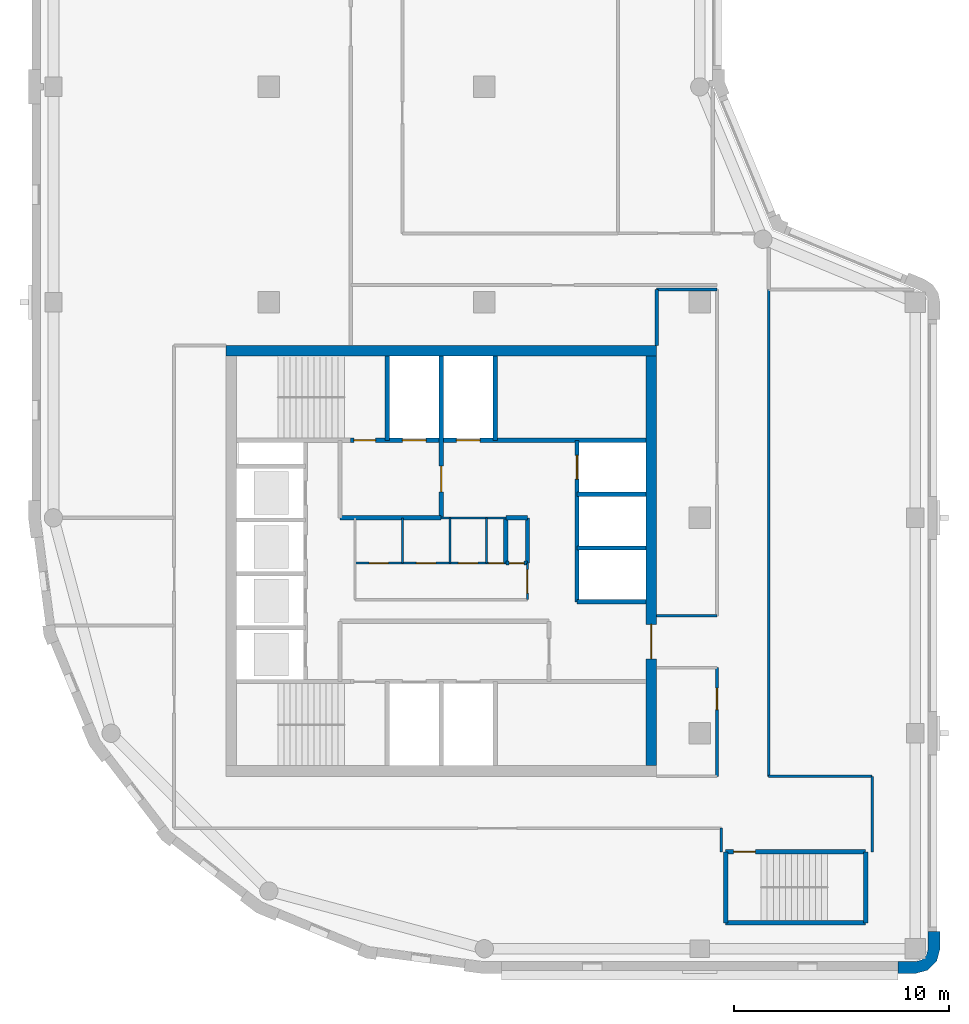
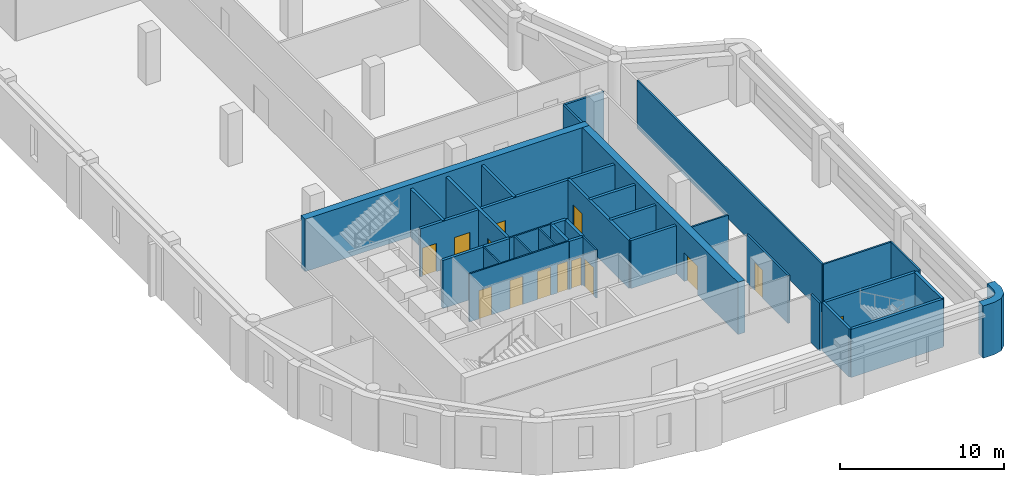
# One storey, part 3 of 8: 34 walls, 14 doors, 14 openings.
"""IFC4 building model written with IfcOpenShell, lengths in metres."""

from ifc_helpers import new_model, si_unit, direction, frame, frame_2d, origin, place, context, subcontext, project, spatial, polyline, rectangle, outline, extrude, material, layer, layer_set, type_object, element, fill, save


model = new_model("IFC4")

# Units and contexts
model_context = context("Model", 3, precision=1e-05, world=origin(), true_north=direction((0.0, 1.0)))
body_context = subcontext(model_context, "Body", "Model", "MODEL_VIEW")
ifc_project = project(units=[si_unit("LENGTHUNIT", "METRE"), si_unit("AREAUNIT", "SQUARE_METRE"), si_unit("VOLUMEUNIT", "CUBIC_METRE"), si_unit("PLANEANGLEUNIT", "RADIAN"), si_unit("MASSUNIT", "GRAM", prefix="KILO")], contexts=[model_context])

# Site, building, storey
site_placement = place(None, origin())
site = spatial("IfcSite", under=ifc_project, at=site_placement, CompositionType="ELEMENT")
building_placement = place(site_placement, origin())
building = spatial("IfcBuilding", under=site, at=building_placement, Name="Qaws Garden Tower", CompositionType="ELEMENT")
storey_placement = place(building_placement, frame((0.0, 0.0, 341.10009765625)))
storey = spatial("IfcBuildingStorey", under=building, at=storey_placement, Name="L83", CompositionType="ELEMENT", Elevation=341.10009765625)

# Wall
ifc_material_1 = material(Name="Clay facing brick masonry", Category="masonry")
ifc_layer_1 = layer(ifc_material_1, 0.550048828125)
ifc_layer_set_1 = layer_set([ifc_layer_1], Name="Clay facing brick masonry")
wall_type_1 = type_object("IfcWallType", Name="Brick corner pier 550 x 2400", PredefinedType="SOLIDWALL", material=ifc_layer_set_1)
wall_1_placement = place(storey_placement, origin())
element("IfcWall", 1, at=wall_1_placement, inside=storey, type_object=wall_type_1, Name="E-L83-pier-02", PredefinedType="SOLIDWALL", context=body_context, shape_type="SweptSolid", body=[
    extrude(outline(polyline([(39.199951171875, -1.0), (39.199951171875, -1.14990234375), (40.0, -1.14990234375), (40.574951171875, -0.995849609375), (40.995849609375, -0.574951171875), (41.14990234375, 0.0), (41.14990234375, 0.800048828125), (41.0, 0.800048828125), (40.60009765625, 0.800048828125), (40.60009765625, 0.0), (40.51953125, -0.300048828125), (40.300048828125, -0.51953125), (40.0, -0.60009765625), (39.199951171875, -0.60009765625), (39.199951171875, -1.0)])), origin(), (0.0, 0.0, 1.0), 3.89990234375),
])

# Wall, openings, doors
ifc_material_2 = material(Name="Plasterboard")
ifc_layer_2 = layer(ifc_material_2, 0.10009765625)
ifc_layer_set_2 = layer_set([ifc_layer_2], Name="Plasterboard")
wall_type_2 = type_object("IfcWallType", Name="Core partition 100", PredefinedType="PARTITIONING", material=ifc_layer_set_2)
wall_2_placement = place(storey_placement, frame((14.0, 17.89990234375, 0.0), z_axis=(0.0, 0.0, 1.0), x_axis=(1.0, 0.0, 0.0)))
wall_2 = element("IfcWall", 2, at=wall_2_placement, inside=storey, type_object=wall_type_2, Name="Core partition", PredefinedType="PARTITIONING", context=body_context, shape_type="SweptSolid", body=[
    extrude(rectangle(XDim=7.0, YDim=0.10009765625, at=frame_2d((3.5, 0.0))), origin(), (0.0, 0.0, 1.0), 3.579833984375),
])
opening_1_placement = place(wall_2_placement, frame((0.64990234375, 0.0, 0.0)))
opening_1 = element("IfcOpeningElement", 3, at=opening_1_placement, cuts=wall_2, Name="Opening WD18", PredefinedType="OPENING", context=body_context, shape_type="SweptSolid", body=[
    extrude(rectangle(XDim=0.89990234375, YDim=2.10009765625, at=frame_2d((0.449951171875, 1.050048828125))), frame((0.0, 0.06005859375, 0.0), z_axis=(0.0, -1.0, 0.0), x_axis=(1.0, 0.0, 0.0)), (0.0, 0.0, 1.0), 0.1201171875),
])
opening_2_placement = place(wall_2_placement, frame((2.85009765625, 0.0, 0.0)))
opening_2 = element("IfcOpeningElement", 4, at=opening_2_placement, cuts=wall_2, Name="Opening WD19", PredefinedType="OPENING", context=body_context, shape_type="SweptSolid", body=[
    extrude(rectangle(XDim=0.89990234375, YDim=2.10009765625, at=frame_2d((0.449951171875, 1.050048828125))), frame((0.0, 0.06005859375, 0.0), z_axis=(0.0, -1.0, 0.0), x_axis=(1.0, 0.0, 0.0)), (0.0, 0.0, 1.0), 0.1201171875),
])
opening_3_placement = place(wall_2_placement, frame((4.800048828125, 0.0, 0.0)))
opening_3 = element("IfcOpeningElement", 5, at=opening_3_placement, cuts=wall_2, Name="Opening WD20", PredefinedType="OPENING", context=body_context, shape_type="SweptSolid", body=[
    extrude(rectangle(XDim=0.89990234375, YDim=2.10009765625, at=frame_2d((0.449951171875, 1.050048828125))), frame((0.0, 0.06005859375, 0.0), z_axis=(0.0, -1.0, 0.0), x_axis=(1.0, 0.0, 0.0)), (0.0, 0.0, 1.0), 0.1201171875),
])
opening_4_placement = place(wall_2_placement, frame((6.199951171875, 0.0, 0.0)))
opening_4 = element("IfcOpeningElement", 6, at=opening_4_placement, cuts=wall_2, Name="Opening XD21", PredefinedType="OPENING", context=body_context, shape_type="SweptSolid", body=[
    extrude(rectangle(XDim=0.699951171875, YDim=2.10009765625, at=frame_2d((0.35009765625, 1.050048828125))), frame((0.0, 0.06005859375, 0.0), z_axis=(0.0, -1.0, 0.0), x_axis=(1.0, 0.0, 0.0)), (0.0, 0.0, 1.0), 0.1201171875),
])
ifc_material_3 = material(Name="Timber", Category="wood")
door_type_1 = type_object("IfcDoorType", Name="Store door 700x2100", OperationType="SINGLE_SWING_LEFT", PredefinedType="DOOR", material=ifc_material_3)
door_1_placement = place(opening_4_placement, origin())
door_1 = element("IfcDoor", 7, at=door_1_placement, inside=storey, type_object=door_type_1, Name="Cleaner's store door", OperationType="SINGLE_SWING_RIGHT", OverallHeight=2.10009765625, OverallWidth=0.699951171875, PredefinedType="DOOR", context=body_context, shape_type="SweptSolid", body=[
    extrude(rectangle(XDim=0.699951171875, YDim=2.10009765625, at=frame_2d((0.35009765625, 1.050048828125))), frame((0.0, 0.02490234375, 0.0), z_axis=(0.0, -1.0, 0.0), x_axis=(1.0, 0.0, 0.0)), (0.0, 0.0, 1.0), 0.050048828125),
])
fill(opening_4, door_1)
ifc_material_4 = material(Name="Timber", Category="wood")
door_type_2 = type_object("IfcDoorType", Name="WC door 900x2100", OperationType="SINGLE_SWING_LEFT", PredefinedType="DOOR", material=ifc_material_4)
door_2_placement = place(opening_1_placement, origin())
door_2 = element("IfcDoor", 8, at=door_2_placement, inside=storey, type_object=door_type_2, Name="Men's WC door", OperationType="SINGLE_SWING_RIGHT", OverallHeight=2.10009765625, OverallWidth=0.89990234375, PredefinedType="DOOR", context=body_context, shape_type="SweptSolid", body=[
    extrude(rectangle(XDim=0.89990234375, YDim=2.10009765625, at=frame_2d((0.449951171875, 1.050048828125))), frame((0.0, 0.02490234375, 0.0), z_axis=(0.0, -1.0, 0.0), x_axis=(1.0, 0.0, 0.0)), (0.0, 0.0, 1.0), 0.050048828125),
])
fill(opening_1, door_2)
door_3_placement = place(opening_2_placement, origin())
door_3 = element("IfcDoor", 9, at=door_3_placement, inside=storey, type_object=door_type_2, Name="Women's WC door", OperationType="SINGLE_SWING_RIGHT", OverallHeight=2.10009765625, OverallWidth=0.89990234375, PredefinedType="DOOR", context=body_context, shape_type="SweptSolid", body=[
    extrude(rectangle(XDim=0.89990234375, YDim=2.10009765625, at=frame_2d((0.449951171875, 1.050048828125))), frame((0.0, 0.02490234375, 0.0), z_axis=(0.0, -1.0, 0.0), x_axis=(1.0, 0.0, 0.0)), (0.0, 0.0, 1.0), 0.050048828125),
])
fill(opening_2, door_3)
door_4_placement = place(opening_3_placement, origin())
door_4 = element("IfcDoor", 10, at=door_4_placement, inside=storey, type_object=door_type_2, Name="Accessible WC door", OperationType="SINGLE_SWING_RIGHT", OverallHeight=2.10009765625, OverallWidth=0.89990234375, PredefinedType="DOOR", context=body_context, shape_type="SweptSolid", body=[
    extrude(rectangle(XDim=0.89990234375, YDim=2.10009765625, at=frame_2d((0.449951171875, 1.050048828125))), frame((0.0, 0.02490234375, 0.0), z_axis=(0.0, -1.0, 0.0), x_axis=(1.0, 0.0, 0.0)), (0.0, 0.0, 1.0), 0.050048828125),
])
fill(opening_3, door_4)

# Walls
wall_3_placement = place(storey_placement, frame((18.0, 20.0, 0.0), z_axis=(0.0, 0.0, 1.0), x_axis=(1.0, 0.0, 0.0)))
element("IfcWall", 11, at=wall_3_placement, inside=storey, type_object=wall_type_2, Name="Core partition", PredefinedType="PARTITIONING", context=body_context, shape_type="SweptSolid", body=[
    extrude(rectangle(XDim=3.0, YDim=0.10009765625, at=frame_2d((1.5, 0.0))), origin(), (0.0, 0.0, 1.0), 3.579833984375),
])
for number, where, z_axis, x_axis, name in (
    (12, (16.199951171875, 17.89990234375, 0.0), (0.0, 0.0, 1.0), (0.0, 1.0, 0.0), "Core partition"),
    (13, (18.39990234375, 17.89990234375, 0.0), (0.0, 0.0, 1.0), (0.0, 1.0, 0.0), "Core partition"),
    (14, (20.10009765625, 17.89990234375, 0.0), (0.0, 0.0, 1.0), (0.0, 1.0, 0.0), "Core partition"),
):
    element("IfcWall", number, at=place(storey_placement, frame(where, z_axis=z_axis, x_axis=x_axis)), inside=storey, type_object=wall_type_2, Name=name, PredefinedType="PARTITIONING", context=body_context, shape_type="SweptSolid", body=[
        extrude(rectangle(XDim=2.10009765625, YDim=0.10009765625, at=frame_2d((1.050048828125, 0.0))), origin(), (0.0, 0.0, 1.0), 3.579833984375),
    ])

# Wall, opening, door
wall_4_placement = place(storey_placement, frame((22.0, 16.199951171875, 0.0), z_axis=(0.0, 0.0, 1.0), x_axis=(0.0, 1.0, 0.0)))
wall_4 = element("IfcWall", 15, at=wall_4_placement, inside=storey, type_object=wall_type_2, Name="Core partition", PredefinedType="PARTITIONING", context=body_context, shape_type="SweptSolid", body=[
    extrude(rectangle(XDim=1.699951171875, YDim=0.10009765625, at=frame_2d((0.85009765625, 0.0))), origin(), (0.0, 0.0, 1.0), 3.579833984375),
])
opening_5_placement = place(wall_4_placement, frame((0.300048828125, 0.0, 0.0)))
opening_5 = element("IfcOpeningElement", 16, at=opening_5_placement, cuts=wall_4, Name="Opening WL17", PredefinedType="OPENING", context=body_context, shape_type="SweptSolid", body=[
    extrude(rectangle(XDim=1.10009765625, YDim=2.10009765625, at=frame_2d((0.550048828125, 1.050048828125))), frame((0.0, 0.06005859375, 0.0), z_axis=(0.0, -1.0, 0.0), x_axis=(1.0, 0.0, 0.0)), (0.0, 0.0, 1.0), 0.1201171875),
])
ifc_material_5 = material(Name="Timber", Category="wood")
door_type_3 = type_object("IfcDoorType", Name="WC lobby door 1100x2100", OperationType="SINGLE_SWING_LEFT", PredefinedType="DOOR", material=ifc_material_5)
door_5_placement = place(opening_5_placement, origin())
door_5 = element("IfcDoor", 17, at=door_5_placement, inside=storey, type_object=door_type_3, Name="WC lobby door", OperationType="SINGLE_SWING_RIGHT", OverallHeight=2.10009765625, OverallWidth=1.10009765625, PredefinedType="DOOR", context=body_context, shape_type="SweptSolid", body=[
    extrude(rectangle(XDim=1.10009765625, YDim=2.10009765625, at=frame_2d((0.550048828125, 1.050048828125))), frame((0.0, 0.02490234375, 0.0), z_axis=(0.0, -1.0, 0.0), x_axis=(1.0, 0.0, 0.0)), (0.0, 0.0, 1.0), 0.050048828125),
])
fill(opening_5, door_5)

# Wall
ifc_material_6 = material(Name="Concrete C60", Category="concrete")
ifc_layer_3 = layer(ifc_material_6, 0.199951171875)
ifc_layer_set_3 = layer_set([ifc_layer_3], Name="Concrete C60")
wall_type_3 = type_object("IfcWallType", Name="Core shaft wall 200 C60", PredefinedType="SHEAR", material=ifc_layer_set_3)
wall_5_placement = place(storey_placement, frame((31.199951171875, 1.199951171875, 0.0), z_axis=(0.0, 0.0, 1.0), x_axis=(1.0, 0.0, 0.0)))
element("IfcWall", 18, at=wall_5_placement, inside=storey, type_object=wall_type_3, Name="Shaft wall", PredefinedType="SHEAR", context=body_context, shape_type="SweptSolid", body=[
    extrude(rectangle(XDim=6.5, YDim=0.199951171875, at=frame_2d((3.25, 0.0))), origin(), (0.0, 0.0, 1.0), 3.579833984375),
])

# Wall, opening, door
wall_6_placement = place(storey_placement, frame((31.199951171875, 4.5, 0.0), z_axis=(0.0, 0.0, 1.0), x_axis=(1.0, 0.0, 0.0)))
wall_6 = element("IfcWall", 19, at=wall_6_placement, inside=storey, type_object=wall_type_3, Name="Shaft wall", PredefinedType="SHEAR", context=body_context, shape_type="SweptSolid", body=[
    extrude(rectangle(XDim=6.5, YDim=0.199951171875, at=frame_2d((3.25, 0.0))), origin(), (0.0, 0.0, 1.0), 3.579833984375),
])
opening_6_placement = place(wall_6_placement, frame((0.375, 0.0, 0.0)))
opening_6 = element("IfcOpeningElement", 20, at=opening_6_placement, cuts=wall_6, Name="Opening SD12", PredefinedType="OPENING", context=body_context, shape_type="SweptSolid", body=[
    extrude(rectangle(XDim=1.0, YDim=2.10009765625, at=frame_2d((0.5, 1.050048828125))), frame((0.0, 0.10986328125, 0.0), z_axis=(0.0, -1.0, 0.0), x_axis=(1.0, 0.0, 0.0)), (0.0, 0.0, 1.0), 0.219970703125),
])
ifc_material_7 = material(Name="Steel S235", Category="steel")
door_type_4 = type_object("IfcDoorType", Name="Stair door 1000x2100", OperationType="SINGLE_SWING_RIGHT", PredefinedType="DOOR", material=ifc_material_7)
door_6_placement = place(opening_6_placement, frame((1.0, 0.0, 0.0), z_axis=(0.0, 0.0, 1.0), x_axis=(-1.0, 0.0, 0.0)))
door_6 = element("IfcDoor", 21, at=door_6_placement, inside=storey, type_object=door_type_4, Name="Stair 5 door", OperationType="SINGLE_SWING_RIGHT", OverallHeight=2.10009765625, OverallWidth=1.0, PredefinedType="DOOR", context=body_context, shape_type="SweptSolid", body=[
    extrude(rectangle(XDim=1.0, YDim=2.10009765625, at=frame_2d((0.5, 1.050048828125))), frame((0.0, 0.02490234375, 0.0), z_axis=(0.0, -1.0, 0.0), x_axis=(1.0, 0.0, 0.0)), (0.0, 0.0, 1.0), 0.050048828125),
])
fill(opening_6, door_6)

# Wall
wall_7_placement = place(storey_placement, frame((24.300048828125, 16.10009765625, 0.0), z_axis=(0.0, 0.0, 1.0), x_axis=(1.0, 0.0, 0.0)))
element("IfcWall", 22, at=wall_7_placement, inside=storey, type_object=wall_type_3, Name="Shaft wall", PredefinedType="SHEAR", context=body_context, shape_type="SweptSolid", body=[
    extrude(rectangle(XDim=3.199951171875, YDim=0.199951171875, at=frame_2d((1.60009765625, 0.0))), origin(), (0.0, 0.0, 1.0), 3.579833984375),
])

# Wall, opening, door
wall_8_placement = place(storey_placement, frame((21.0, 17.89990234375, 0.0), z_axis=(0.0, 0.0, 1.0), x_axis=(1.0, 0.0, 0.0)))
wall_8 = element("IfcWall", 23, at=wall_8_placement, inside=storey, type_object=wall_type_3, Name="Shaft wall", PredefinedType="SHEAR", context=body_context, shape_type="SweptSolid", body=[
    extrude(rectangle(XDim=1.0, YDim=0.199951171875, at=frame_2d((0.5, 0.0))), origin(), (0.0, 0.0, 1.0), 3.579833984375),
])
opening_7_placement = place(wall_8_placement, frame((0.14990234375, 0.0, 0.0)))
opening_7 = element("IfcOpeningElement", 24, at=opening_7_placement, cuts=wall_8, Name="Opening XD22", PredefinedType="OPENING", context=body_context, shape_type="SweptSolid", body=[
    extrude(rectangle(XDim=0.699951171875, YDim=2.10009765625, at=frame_2d((0.35009765625, 1.050048828125))), frame((0.0, 0.10986328125, 0.0), z_axis=(0.0, -1.0, 0.0), x_axis=(1.0, 0.0, 0.0)), (0.0, 0.0, 1.0), 0.219970703125),
])
door_7_placement = place(opening_7_placement, origin())
door_7 = element("IfcDoor", 25, at=door_7_placement, inside=storey, type_object=door_type_1, Name="Telecom riser door", OperationType="SINGLE_SWING_RIGHT", OverallHeight=2.10009765625, OverallWidth=0.699951171875, PredefinedType="DOOR", context=body_context, shape_type="SweptSolid", body=[
    extrude(rectangle(XDim=0.699951171875, YDim=2.10009765625, at=frame_2d((0.35009765625, 1.050048828125))), frame((0.0, 0.02490234375, 0.0), z_axis=(0.0, -1.0, 0.0), x_axis=(1.0, 0.0, 0.0)), (0.0, 0.0, 1.0), 0.050048828125),
])
fill(opening_7, door_7)

# Walls
wall_9_placement = place(storey_placement, frame((24.300048828125, 18.60009765625, 0.0), z_axis=(0.0, 0.0, 1.0), x_axis=(1.0, 0.0, 0.0)))
element("IfcWall", 26, at=wall_9_placement, inside=storey, type_object=wall_type_3, Name="Shaft wall", PredefinedType="SHEAR", context=body_context, shape_type="SweptSolid", body=[
    extrude(rectangle(XDim=3.199951171875, YDim=0.199951171875, at=frame_2d((1.60009765625, 0.0))), origin(), (0.0, 0.0, 1.0), 3.579833984375),
])
wall_10_placement = place(storey_placement, frame((13.300048828125, 20.0, 0.0), z_axis=(0.0, 0.0, 1.0), x_axis=(1.0, 0.0, 0.0)))
element("IfcWall", 27, at=wall_10_placement, inside=storey, type_object=wall_type_3, Name="Shaft wall", PredefinedType="SHEAR", context=body_context, shape_type="SweptSolid", body=[
    extrude(rectangle(XDim=4.699951171875, YDim=0.199951171875, at=frame_2d((2.35009765625, 0.0))), origin(), (0.0, 0.0, 1.0), 3.579833984375),
])
wall_11_placement = place(storey_placement, frame((21.0, 20.0, 0.0), z_axis=(0.0, 0.0, 1.0), x_axis=(1.0, 0.0, 0.0)))
element("IfcWall", 28, at=wall_11_placement, inside=storey, type_object=wall_type_3, Name="Shaft wall", PredefinedType="SHEAR", context=body_context, shape_type="SweptSolid", body=[
    extrude(rectangle(XDim=1.0, YDim=0.199951171875, at=frame_2d((0.5, 0.0))), origin(), (0.0, 0.0, 1.0), 3.579833984375),
])
wall_12_placement = place(storey_placement, frame((24.300048828125, 21.10009765625, 0.0), z_axis=(0.0, 0.0, 1.0), x_axis=(1.0, 0.0, 0.0)))
element("IfcWall", 29, at=wall_12_placement, inside=storey, type_object=wall_type_3, Name="Shaft wall", PredefinedType="SHEAR", context=body_context, shape_type="SweptSolid", body=[
    extrude(rectangle(XDim=3.199951171875, YDim=0.199951171875, at=frame_2d((1.60009765625, 0.0))), origin(), (0.0, 0.0, 1.0), 3.579833984375),
])

# Wall, openings, doors
wall_13_placement = place(storey_placement, frame((13.800048828125, 23.60009765625, 0.0), z_axis=(0.0, 0.0, 1.0), x_axis=(1.0, 0.0, 0.0)))
wall_13 = element("IfcWall", 30, at=wall_13_placement, inside=storey, type_object=wall_type_3, Name="Shaft wall", PredefinedType="SHEAR", context=body_context, shape_type="SweptSolid", body=[
    extrude(rectangle(XDim=13.699951171875, YDim=0.199951171875, at=frame_2d((6.85009765625, 0.0))), origin(), (0.0, 0.0, 1.0), 3.579833984375),
])
opening_8_placement = place(wall_13_placement, frame((2.39990234375, 0.0, 0.0)))
opening_8 = element("IfcOpeningElement", 31, at=opening_8_placement, cuts=wall_13, Name="Opening LD08", PredefinedType="OPENING", context=body_context, shape_type="SweptSolid", body=[
    extrude(rectangle(XDim=1.10009765625, YDim=2.10009765625, at=frame_2d((0.550048828125, 1.050048828125))), frame((0.0, 0.10986328125, 0.0), z_axis=(0.0, -1.0, 0.0), x_axis=(1.0, 0.0, 0.0)), (0.0, 0.0, 1.0), 0.219970703125),
])
opening_9_placement = place(wall_13_placement, frame((4.89990234375, 0.0, 0.0)))
opening_9 = element("IfcOpeningElement", 32, at=opening_9_placement, cuts=wall_13, Name="Opening LD09", PredefinedType="OPENING", context=body_context, shape_type="SweptSolid", body=[
    extrude(rectangle(XDim=1.10009765625, YDim=2.10009765625, at=frame_2d((0.550048828125, 1.050048828125))), frame((0.0, 0.10986328125, 0.0), z_axis=(0.0, -1.0, 0.0), x_axis=(1.0, 0.0, 0.0)), (0.0, 0.0, 1.0), 0.219970703125),
])
opening_10_placement = place(wall_13_placement, frame((0.14990234375, 0.0, 0.0)))
opening_10 = element("IfcOpeningElement", 33, at=opening_10_placement, cuts=wall_13, Name="Opening SD11", PredefinedType="OPENING", context=body_context, shape_type="SweptSolid", body=[
    extrude(rectangle(XDim=1.0, YDim=2.10009765625, at=frame_2d((0.5, 1.050048828125))), frame((0.0, 0.10986328125, 0.0), z_axis=(0.0, -1.0, 0.0), x_axis=(1.0, 0.0, 0.0)), (0.0, 0.0, 1.0), 0.219970703125),
])
ifc_material_8 = material(Name="Steel S235", Category="steel")
door_type_5 = type_object("IfcDoorType", Name="Landing door 1100x2100", OperationType="DOUBLE_DOOR_SLIDING", PredefinedType="DOOR", material=ifc_material_8)
door_8_placement = place(opening_8_placement, origin())
door_8 = element("IfcDoor", 34, at=door_8_placement, inside=storey, type_object=door_type_5, Name="Lift FF3 landing door", OperationType="DOUBLE_DOOR_SLIDING", OverallHeight=2.10009765625, OverallWidth=1.10009765625, PredefinedType="DOOR", context=body_context, shape_type="SweptSolid", body=[
    extrude(rectangle(XDim=1.10009765625, YDim=2.10009765625, at=frame_2d((0.550048828125, 1.050048828125))), frame((0.0, 0.02490234375, 0.0), z_axis=(0.0, -1.0, 0.0), x_axis=(1.0, 0.0, 0.0)), (0.0, 0.0, 1.0), 0.050048828125),
])
fill(opening_8, door_8)
door_9_placement = place(opening_9_placement, origin())
door_9 = element("IfcDoor", 35, at=door_9_placement, inside=storey, type_object=door_type_5, Name="Lift SV2 landing door", OperationType="DOUBLE_DOOR_SLIDING", OverallHeight=2.10009765625, OverallWidth=1.10009765625, PredefinedType="DOOR", context=body_context, shape_type="SweptSolid", body=[
    extrude(rectangle(XDim=1.10009765625, YDim=2.10009765625, at=frame_2d((0.550048828125, 1.050048828125))), frame((0.0, 0.02490234375, 0.0), z_axis=(0.0, -1.0, 0.0), x_axis=(1.0, 0.0, 0.0)), (0.0, 0.0, 1.0), 0.050048828125),
])
fill(opening_9, door_9)
door_10_placement = place(opening_10_placement, origin())
door_10 = element("IfcDoor", 36, at=door_10_placement, inside=storey, type_object=door_type_4, Name="Stair 4 door", OperationType="SINGLE_SWING_RIGHT", OverallHeight=2.10009765625, OverallWidth=1.0, PredefinedType="DOOR", context=body_context, shape_type="SweptSolid", body=[
    extrude(rectangle(XDim=1.0, YDim=2.10009765625, at=frame_2d((0.5, 1.050048828125))), frame((0.0, 0.02490234375, 0.0), z_axis=(0.0, -1.0, 0.0), x_axis=(1.0, 0.0, 0.0)), (0.0, 0.0, 1.0), 0.050048828125),
])
fill(opening_10, door_10)

# Wall
wall_14_placement = place(storey_placement, frame((15.5, 23.60009765625, 0.0), z_axis=(0.0, 0.0, 1.0), x_axis=(0.0, 1.0, 0.0)))
element("IfcWall", 37, at=wall_14_placement, inside=storey, type_object=wall_type_3, Name="Shaft wall", PredefinedType="SHEAR", context=body_context, shape_type="SweptSolid", body=[
    extrude(rectangle(XDim=3.89990234375, YDim=0.199951171875, at=frame_2d((1.949951171875, 0.0))), origin(), (0.0, 0.0, 1.0), 3.579833984375),
])

# Wall, opening, door
wall_15_placement = place(storey_placement, frame((18.0, 20.0, 0.0), z_axis=(0.0, 0.0, 1.0), x_axis=(0.0, 1.0, 0.0)))
wall_15 = element("IfcWall", 38, at=wall_15_placement, inside=storey, type_object=wall_type_3, Name="Shaft wall", PredefinedType="SHEAR", context=body_context, shape_type="SweptSolid", body=[
    extrude(rectangle(XDim=7.5, YDim=0.199951171875, at=frame_2d((3.75, 0.0))), origin(), (0.0, 0.0, 1.0), 3.579833984375),
])
opening_11_placement = place(wall_15_placement, frame((1.199951171875, 0.0, 0.0)))
opening_11 = element("IfcOpeningElement", 39, at=opening_11_placement, cuts=wall_15, Name="Opening FD16", PredefinedType="OPENING", context=body_context, shape_type="SweptSolid", body=[
    extrude(rectangle(XDim=1.199951171875, YDim=2.10009765625, at=frame_2d((0.60009765625, 1.050048828125))), frame((0.0, 0.10986328125, 0.0), z_axis=(0.0, -1.0, 0.0), x_axis=(1.0, 0.0, 0.0)), (0.0, 0.0, 1.0), 0.219970703125),
])
ifc_material_9 = material(Name="Steel S235", Category="steel")
door_type_6 = type_object("IfcDoorType", Name="Lobby door 1200x2100", OperationType="DOUBLE_DOOR_SINGLE_SWING", PredefinedType="DOOR", material=ifc_material_9)
door_11_placement = place(opening_11_placement, origin())
door_11 = element("IfcDoor", 40, at=door_11_placement, inside=storey, type_object=door_type_6, Name="Fire-fighting lobby door", OperationType="DOUBLE_DOOR_SINGLE_SWING", OverallHeight=2.10009765625, OverallWidth=1.199951171875, PredefinedType="DOOR", context=body_context, shape_type="SweptSolid", body=[
    extrude(rectangle(XDim=1.199951171875, YDim=2.10009765625, at=frame_2d((0.60009765625, 1.050048828125))), frame((0.0, 0.02490234375, 0.0), z_axis=(0.0, -1.0, 0.0), x_axis=(1.0, 0.0, 0.0)), (0.0, 0.0, 1.0), 0.050048828125),
])
fill(opening_11, door_11)

# Walls
wall_16_placement = place(storey_placement, frame((20.5, 23.60009765625, 0.0), z_axis=(0.0, 0.0, 1.0), x_axis=(0.0, 1.0, 0.0)))
element("IfcWall", 41, at=wall_16_placement, inside=storey, type_object=wall_type_3, Name="Shaft wall", PredefinedType="SHEAR", context=body_context, shape_type="SweptSolid", body=[
    extrude(rectangle(XDim=3.89990234375, YDim=0.199951171875, at=frame_2d((1.949951171875, 0.0))), origin(), (0.0, 0.0, 1.0), 3.579833984375),
])
for number, where, z_axis, x_axis, name in (
    (42, (21.0, 17.89990234375, 0.0), (0.0, 0.0, 1.0), (0.0, 1.0, 0.0), "Shaft wall"),
    (43, (22.0, 17.89990234375, 0.0), (0.0, 0.0, 1.0), (0.0, 1.0, 0.0), "Shaft wall"),
):
    element("IfcWall", number, at=place(storey_placement, frame(where, z_axis=z_axis, x_axis=x_axis)), inside=storey, type_object=wall_type_3, Name=name, PredefinedType="SHEAR", context=body_context, shape_type="SweptSolid", body=[
        extrude(rectangle(XDim=2.10009765625, YDim=0.199951171875, at=frame_2d((1.050048828125, 0.0))), origin(), (0.0, 0.0, 1.0), 3.579833984375),
    ])

# Wall, opening, door
wall_17_placement = place(storey_placement, frame((24.300048828125, 16.10009765625, 0.0), z_axis=(0.0, 0.0, 1.0), x_axis=(0.0, 1.0, 0.0)))
wall_17 = element("IfcWall", 44, at=wall_17_placement, inside=storey, type_object=wall_type_3, Name="Shaft wall", PredefinedType="SHEAR", context=body_context, shape_type="SweptSolid", body=[
    extrude(rectangle(XDim=7.5, YDim=0.199951171875, at=frame_2d((3.75, 0.0))), origin(), (0.0, 0.0, 1.0), 3.579833984375),
])
opening_12_placement = place(wall_17_placement, frame((5.699951171875, 0.0, 0.0)))
opening_12 = element("IfcOpeningElement", 45, at=opening_12_placement, cuts=wall_17, Name="Opening LD05", PredefinedType="OPENING", context=body_context, shape_type="SweptSolid", body=[
    extrude(rectangle(XDim=1.10009765625, YDim=2.10009765625, at=frame_2d((0.550048828125, 1.050048828125))), frame((0.0, 0.10986328125, 0.0), z_axis=(0.0, -1.0, 0.0), x_axis=(1.0, 0.0, 0.0)), (0.0, 0.0, 1.0), 0.219970703125),
])
door_12_placement = place(opening_12_placement, origin())
door_12 = element("IfcDoor", 46, at=door_12_placement, inside=storey, type_object=door_type_5, Name="Lift E3 landing door", OperationType="DOUBLE_DOOR_SLIDING", OverallHeight=2.10009765625, OverallWidth=1.10009765625, PredefinedType="DOOR", context=body_context, shape_type="SweptSolid", body=[
    extrude(rectangle(XDim=1.10009765625, YDim=2.10009765625, at=frame_2d((0.550048828125, 1.050048828125))), frame((0.0, 0.02490234375, 0.0), z_axis=(0.0, -1.0, 0.0), x_axis=(1.0, 0.0, 0.0)), (0.0, 0.0, 1.0), 0.050048828125),
])
fill(opening_12, door_12)

# Walls
for number, where, z_axis, x_axis, name in (
    (47, (31.199951171875, 1.199951171875, 0.0), (0.0, 0.0, 1.0), (0.0, 1.0, 0.0), "Shaft wall"),
    (48, (37.699951171875, 1.199951171875, 0.0), (0.0, 0.0, 1.0), (0.0, 1.0, 0.0), "Shaft wall"),
):
    element("IfcWall", number, at=place(storey_placement, frame(where, z_axis=z_axis, x_axis=x_axis)), inside=storey, type_object=wall_type_3, Name=name, PredefinedType="SHEAR", context=body_context, shape_type="SweptSolid", body=[
        extrude(rectangle(XDim=3.300048828125, YDim=0.199951171875, at=frame_2d((1.64990234375, 0.0))), origin(), (0.0, 0.0, 1.0), 3.579833984375),
    ])

# Wall, opening, door
ifc_material_10 = material(Name="Concrete C60", Category="concrete")
ifc_layer_4 = layer(ifc_material_10, 0.5)
ifc_layer_set_4 = layer_set([ifc_layer_4], Name="Concrete C60")
wall_type_4 = type_object("IfcWallType", Name="Core wall 500 C60", PredefinedType="SHEAR", material=ifc_layer_set_4)
wall_18_placement = place(storey_placement, frame((27.75, 8.5, 0.0), z_axis=(0.0, 0.0, 1.0), x_axis=(0.0, 1.0, 0.0)))
wall_18 = element("IfcWall", 49, at=wall_18_placement, inside=storey, type_object=wall_type_4, Name="Core wall L83 east", PredefinedType="SHEAR", context=body_context, shape_type="SweptSolid", body=[
    extrude(rectangle(XDim=19.0, YDim=0.5, at=frame_2d((9.5, 0.0))), origin(), (0.0, 0.0, 1.0), 3.89990234375),
])
opening_13_placement = place(wall_18_placement, frame((4.949951171875, 0.0, 0.0)))
opening_13 = element("IfcOpeningElement", 50, at=opening_13_placement, cuts=wall_18, Name="Opening ED23", PredefinedType="OPENING", context=body_context, shape_type="SweptSolid", body=[
    extrude(rectangle(XDim=1.60009765625, YDim=2.10009765625, at=frame_2d((0.800048828125, 1.050048828125))), frame((0.0, 0.260009765625, 0.0), z_axis=(0.0, -1.0, 0.0), x_axis=(1.0, 0.0, 0.0)), (0.0, 0.0, 1.0), 0.52001953125),
])
ifc_material_11 = material(Name="Steel S235", Category="steel")
door_type_7 = type_object("IfcDoorType", Name="Core entrance door 1600x2100", OperationType="DOUBLE_DOOR_SINGLE_SWING", PredefinedType="DOOR", material=ifc_material_11)
door_13_placement = place(opening_13_placement, origin())
door_13 = element("IfcDoor", 51, at=door_13_placement, inside=storey, type_object=door_type_7, Name="Core entrance door", OperationType="DOUBLE_DOOR_SINGLE_SWING", OverallHeight=2.10009765625, OverallWidth=1.60009765625, PredefinedType="DOOR", context=body_context, shape_type="SweptSolid", body=[
    extrude(rectangle(XDim=1.60009765625, YDim=2.10009765625, at=frame_2d((0.800048828125, 1.050048828125))), frame((0.0, 0.02490234375, 0.0), z_axis=(0.0, -1.0, 0.0), x_axis=(1.0, 0.0, 0.0)), (0.0, 0.0, 1.0), 0.050048828125),
])
fill(opening_13, door_13)

# Wall
wall_19_placement = place(storey_placement, frame((28.0, 27.75, 0.0), z_axis=(0.0, 0.0, 1.0), x_axis=(-1.0, 0.0, 0.0)))
element("IfcWall", 52, at=wall_19_placement, inside=storey, type_object=wall_type_4, Name="Core wall L83 north", PredefinedType="SHEAR", context=body_context, shape_type="SweptSolid", body=[
    extrude(rectangle(XDim=20.0, YDim=0.5, at=frame_2d((10.0, 0.0))), origin(), (0.0, 0.0, 1.0), 3.89990234375),
])

# Wall, opening, door
ifc_material_12 = material(Name="Glass and aluminium framing", Category="aluminium")
ifc_layer_5 = layer(ifc_material_12, 0.1201171875)
ifc_layer_set_5 = layer_set([ifc_layer_5], Name="Glass and aluminium framing")
wall_type_5 = type_object("IfcWallType", Name="GLAZED PARTITION 120 EI 30", PredefinedType="PARTITIONING", material=ifc_layer_set_5)
wall_20_placement = place(storey_placement, frame((30.800048828125, 8.0, 0.0), z_axis=(0.0, 0.0, 1.0), x_axis=(0.0, 1.0, 0.0)))
wall_20 = element("IfcWall", 53, at=wall_20_placement, inside=storey, type_object=wall_type_5, Name="O-L83-wall-029", PredefinedType="PARTITIONING", context=body_context, shape_type="SweptSolid", body=[
    extrude(rectangle(XDim=5.050048828125, YDim=0.1201171875, at=frame_2d((2.52490234375, 0.0))), origin(), (0.0, 0.0, 1.0), 3.579833984375),
])
opening_14_placement = place(wall_20_placement, frame((3.10009765625, 0.0, 0.0)))
opening_14 = element("IfcOpeningElement", 54, at=opening_14_placement, cuts=wall_20, Name="Opening C1008", PredefinedType="OPENING", context=body_context, shape_type="SweptSolid", body=[
    extrude(rectangle(XDim=1.0, YDim=2.10009765625, at=frame_2d((0.5, 1.050048828125))), frame((0.0, 0.070068359375, 0.0), z_axis=(0.0, -1.0, 0.0), x_axis=(1.0, 0.0, 0.0)), (0.0, 0.0, 1.0), 0.14013671875),
])
ifc_material_13 = material(Name="Timber door leaf", Category="wood")
door_type_8 = type_object("IfcDoorType", Name="TENANCY ENTRANCE DOOR 1000 X 2100", OperationType="SINGLE_SWING_LEFT", PredefinedType="DOOR", material=ifc_material_13)
door_14_placement = place(opening_14_placement, origin())
door_14 = element("IfcDoor", 55, at=door_14_placement, inside=storey, type_object=door_type_8, Name="O-L83-door-008", OperationType="SINGLE_SWING_RIGHT", OverallHeight=2.10009765625, OverallWidth=1.0, PredefinedType="DOOR", context=body_context, shape_type="SweptSolid", body=[
    extrude(rectangle(XDim=1.0, YDim=2.10009765625, at=frame_2d((0.5, 1.050048828125))), frame((0.0, 0.02490234375, 0.0), z_axis=(0.0, -1.0, 0.0), x_axis=(1.0, 0.0, 0.0)), (0.0, 0.0, 1.0), 0.050048828125),
])
fill(opening_14, door_14)

# Walls
wall_21_placement = place(storey_placement, frame((31.0, 4.5, 0.0), z_axis=(0.0, 0.0, 1.0), x_axis=(0.0, 1.0, 0.0)))
element("IfcWall", 56, at=wall_21_placement, inside=storey, type_object=wall_type_5, Name="O-L83-wall-031", PredefinedType="PARTITIONING", context=body_context, shape_type="SweptSolid", body=[
    extrude(rectangle(XDim=1.10009765625, YDim=0.1201171875, at=frame_2d((0.550048828125, 0.0))), origin(), (0.0, 0.0, 1.0), 3.579833984375),
])
wall_22_placement = place(storey_placement, frame((33.199951171875, 8.0, 0.0), z_axis=(0.0, 0.0, 1.0), x_axis=(0.0, 1.0, 0.0)))
element("IfcWall", 57, at=wall_22_placement, inside=storey, type_object=wall_type_5, Name="O-L83-wall-032", PredefinedType="PARTITIONING", context=body_context, shape_type="SweptSolid", body=[
    extrude(rectangle(XDim=22.60009765625, YDim=0.1201171875, at=frame_2d((11.300048828125, 0.0))), origin(), (0.0, 0.0, 1.0), 3.579833984375),
])
wall_23_placement = place(storey_placement, frame((38.0, 4.5, 0.0), z_axis=(0.0, 0.0, 1.0), x_axis=(0.0, 1.0, 0.0)))
element("IfcWall", 58, at=wall_23_placement, inside=storey, type_object=wall_type_5, Name="O-L83-wall-033", PredefinedType="PARTITIONING", context=body_context, shape_type="SweptSolid", body=[
    extrude(rectangle(XDim=3.5, YDim=0.1201171875, at=frame_2d((1.75, 0.0))), origin(), (0.0, 0.0, 1.0), 3.579833984375),
])
wall_24_placement = place(storey_placement, frame((33.199951171875, 8.0, 0.0), z_axis=(0.0, 0.0, 1.0), x_axis=(1.0, 0.0, 0.0)))
element("IfcWall", 59, at=wall_24_placement, inside=storey, type_object=wall_type_5, Name="O-L83-wall-036", PredefinedType="PARTITIONING", context=body_context, shape_type="SweptSolid", body=[
    extrude(rectangle(XDim=4.800048828125, YDim=0.1201171875, at=frame_2d((2.39990234375, 0.0))), origin(), (0.0, 0.0, 1.0), 3.579833984375),
])
wall_25_placement = place(storey_placement, frame((28.0, 15.449951171875, 0.0), z_axis=(0.0, 0.0, 1.0), x_axis=(1.0, 0.0, 0.0)))
element("IfcWall", 60, at=wall_25_placement, inside=storey, type_object=wall_type_5, Name="O-L83-wall-038", PredefinedType="PARTITIONING", context=body_context, shape_type="SweptSolid", body=[
    extrude(rectangle(XDim=2.800048828125, YDim=0.1201171875, at=frame_2d((1.39990234375, 0.0))), origin(), (0.0, 0.0, 1.0), 3.579833984375),
])
ifc_material_14 = material(Name="Gypsum board partition")
ifc_layer_6 = layer(ifc_material_14, 0.14990234375)
ifc_layer_set_6 = layer_set([ifc_layer_6], Name="Gypsum board partition")
wall_type_6 = type_object("IfcWallType", Name="PARTITION 150 EI 60", PredefinedType="PARTITIONING", material=ifc_layer_set_6)
wall_26_placement = place(storey_placement, frame((28.0, 28.0, 0.0), z_axis=(0.0, 0.0, 1.0), x_axis=(0.0, 1.0, 0.0)))
element("IfcWall", 61, at=wall_26_placement, inside=storey, type_object=wall_type_6, Name="O-L83-wall-010", PredefinedType="PARTITIONING", context=body_context, shape_type="SweptSolid", body=[
    extrude(rectangle(XDim=2.597900390625, YDim=0.14990234375, at=frame_2d((1.298828125, 0.0))), origin(), (0.0, 0.0, 1.0), 3.579833984375),
])
wall_27_placement = place(storey_placement, frame((28.001953125, 30.60009765625, 0.0), z_axis=(0.0, 0.0, 1.0), x_axis=(1.0, 0.0, 0.0)))
element("IfcWall", 62, at=wall_27_placement, inside=storey, type_object=wall_type_6, Name="O-L83-wall-016", PredefinedType="PARTITIONING", context=body_context, shape_type="SweptSolid", body=[
    extrude(rectangle(XDim=2.798095703125, YDim=0.14990234375, at=frame_2d((1.39892578125, 0.0))), origin(), (0.0, 0.0, 1.0), 3.579833984375),
])

save(model, "model.ifc")
